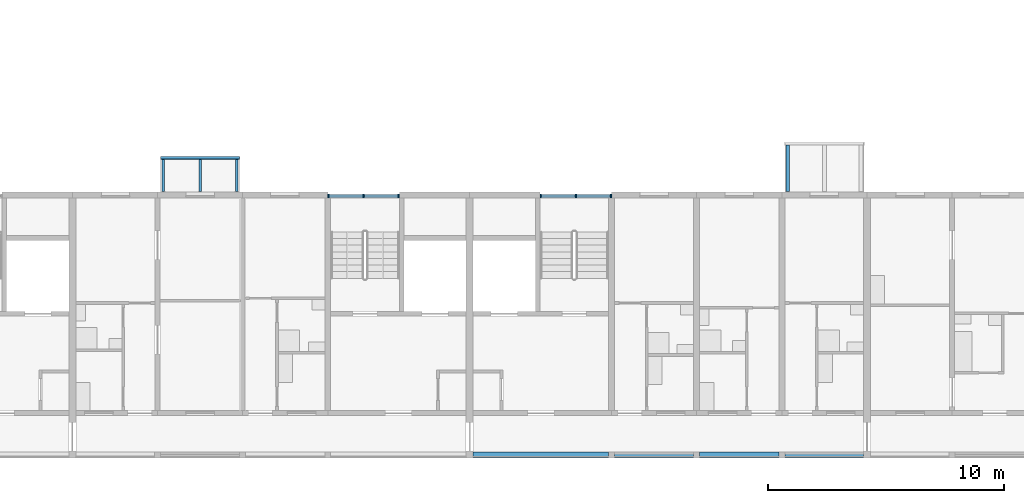
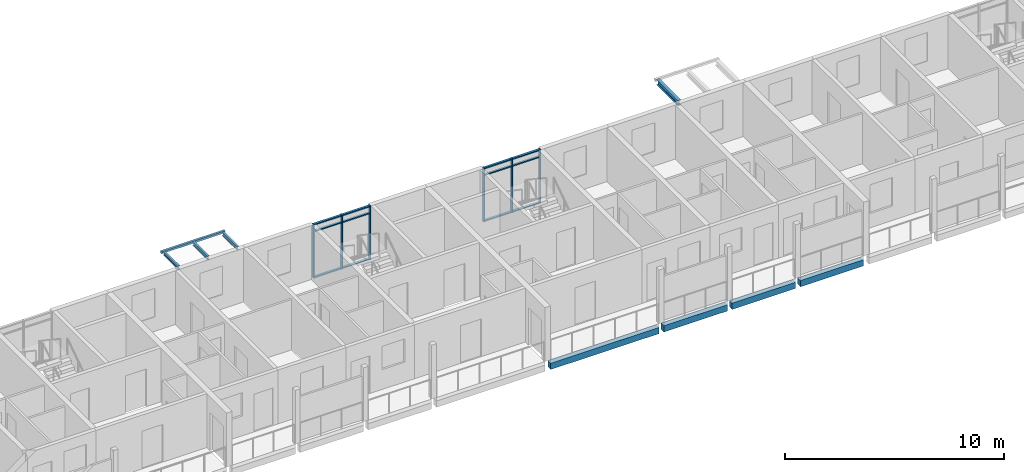
# One storey, part 6 of 98: 18 members, 9 beams, 2 elements without a shape of their own.
"""IFC4 building model written with IfcOpenShell, lengths in metres."""

from ifc_helpers import new_model, si_unit, direction, frame, origin, origin_2d, place, context, subcontext, project, spatial, rectangle, hollow_rectangle, i_section, extrude, material, material_profile, profile_set, type_object, element, aggregate, save


model = new_model("IFC4")

# Units and contexts
model_context = context("Model", 3, precision=1e-05, world=origin(), true_north=direction((0.0, 1.0)))
body_context = subcontext(model_context, "Body", "Model", "MODEL_VIEW")
ifc_project = project(units=[si_unit("LENGTHUNIT", "METRE"), si_unit("AREAUNIT", "SQUARE_METRE"), si_unit("VOLUMEUNIT", "CUBIC_METRE"), si_unit("PLANEANGLEUNIT", "RADIAN"), si_unit("MASSUNIT", "GRAM", prefix="KILO")], contexts=[model_context])

# Site, building, storey
site_placement = place(None, origin())
site = spatial("IfcSite", under=ifc_project, at=site_placement, CompositionType="ELEMENT")
building_placement = place(site_placement, origin())
building = spatial("IfcBuilding", under=site, at=building_placement, Name="Ridgestep Commons", CompositionType="ELEMENT")
storey_placement = place(building_placement, frame((0.0, 0.0, 12.0)))
storey = spatial("IfcBuildingStorey", under=building, at=storey_placement, Name="L04", CompositionType="ELEMENT", Elevation=12.0)

# Beams
ifc_material_1 = material(Name="Precast concrete C40/50", Category="concrete")
ifc_material_profile_1 = material_profile(ifc_material_1, rectangle(XDim=0.25, YDim=0.35009765625, at=origin_2d()), Name="PC 250x350")
ifc_profile_set_1 = profile_set([ifc_material_profile_1], Name="Precast concrete C40/50")
beam_type_1 = type_object("IfcBeamType", Name="Loggia edge beam 250 x 350", PredefinedType="SPANDREL", material=ifc_profile_set_1)
beam_1_placement = place(storey_placement, frame((45.75, 11.875, -0.375), z_axis=(1.0, 0.0, 0.0), x_axis=(0.0, 1.0, 0.0)))
element("IfcBeam", 1, at=beam_1_placement, inside=storey, type_object=beam_type_1, Name="Loggia edge beam A3C L04", PredefinedType="SPANDREL", context=body_context, shape_type="SweptSolid", body=[
    extrude(rectangle(XDim=0.25, YDim=0.35009765625, at=origin_2d()), origin(), (0.0, 0.0, 1.0), 5.72509765625),
])
beam_2_placement = place(storey_placement, frame((51.72509765625, 11.875, -0.375), z_axis=(1.0, 0.0, 0.0), x_axis=(0.0, 1.0, 0.0)))
element("IfcBeam", 2, at=beam_2_placement, inside=storey, type_object=beam_type_1, Name="Loggia edge beam A3T3 L04", PredefinedType="SPANDREL", context=body_context, shape_type="SweptSolid", body=[
    extrude(rectangle(XDim=0.25, YDim=0.35009765625, at=origin_2d()), origin(), (0.0, 0.0, 1.0), 3.349853515625),
])
beam_3_placement = place(storey_placement, frame((55.324951171875, 11.875, -0.375), z_axis=(1.0, 0.0, 0.0), x_axis=(0.0, 1.0, 0.0)))
element("IfcBeam", 3, at=beam_3_placement, inside=storey, type_object=beam_type_1, Name="Loggia edge beam A3T2 L04", PredefinedType="SPANDREL", context=body_context, shape_type="SweptSolid", body=[
    extrude(rectangle(XDim=0.25, YDim=0.35009765625, at=origin_2d()), origin(), (0.0, 0.0, 1.0), 3.35009765625),
])
beam_4_placement = place(storey_placement, frame((58.925048828125, 11.875, -0.375), z_axis=(1.0, 0.0, 0.0), x_axis=(0.0, 1.0, 0.0)))
element("IfcBeam", 4, at=beam_4_placement, inside=storey, type_object=beam_type_1, Name="Loggia edge beam A3T1 L04", PredefinedType="SPANDREL", context=body_context, shape_type="SweptSolid", body=[
    extrude(rectangle(XDim=0.25, YDim=0.35009765625, at=origin_2d()), origin(), (0.0, 0.0, 1.0), 3.324951171875),
])

# Curtain wall, members
ifc_material_2 = material(Name="Aluminium 6063-T6 and glass", Category="aluminium")
curtain_wall_type = type_object("IfcCurtainWallType", Name="Curtain wall stair strip", PredefinedType="NOTDEFINED", material=ifc_material_2)
curtain_wall_1_placement = place(storey_placement, origin())
curtain_wall_1 = element("IfcCurtainWall", 5, at=curtain_wall_1_placement, inside=storey, type_object=curtain_wall_type, Name="Curtain wall A2C level 04", PredefinedType="NOTDEFINED")
ifc_material_3 = material(Name="Aluminium 6063-T6", Category="aluminium")
ifc_material_profile_2 = material_profile(ifc_material_3, rectangle(XDim=0.159912109375, YDim=0.06005859375, at=origin_2d()), Name="Mullion 60 x 160")
ifc_profile_set_2 = profile_set([ifc_material_profile_2], Name="Aluminium 6063-T6")
member_type_1 = type_object("IfcMemberType", Name="Mullion 60 x 160", PredefinedType="MULLION", material=ifc_profile_set_2)
member_1_placement = place(storey_placement, frame((39.6298828125, 22.830078125, 0.0), z_axis=(0.0, 0.0, 1.0), x_axis=(0.0, 1.0, 0.0)))
member_1 = element("IfcMember", 6, at=member_1_placement, type_object=member_type_1, Name="CW1 mullion 1", PredefinedType="MULLION", context=body_context, shape_type="SweptSolid", body=[
    extrude(rectangle(XDim=0.159912109375, YDim=0.06005859375, at=origin_2d()), origin(), (0.0, 0.0, 1.0), 3.0),
])
member_2_placement = place(storey_placement, frame((41.112548828125, 22.830078125, 0.0), z_axis=(0.0, 0.0, 1.0), x_axis=(0.0, 1.0, 0.0)))
member_2 = element("IfcMember", 7, at=member_2_placement, type_object=member_type_1, Name="CW1 mullion 2", PredefinedType="MULLION", context=body_context, shape_type="SweptSolid", body=[
    extrude(rectangle(XDim=0.159912109375, YDim=0.06005859375, at=origin_2d()), origin(), (0.0, 0.0, 1.0), 3.0),
])
member_3_placement = place(storey_placement, frame((42.594970703125, 22.830078125, 0.0), z_axis=(0.0, 0.0, 1.0), x_axis=(0.0, 1.0, 0.0)))
member_3 = element("IfcMember", 8, at=member_3_placement, type_object=member_type_1, Name="CW1 mullion 3", PredefinedType="MULLION", context=body_context, shape_type="SweptSolid", body=[
    extrude(rectangle(XDim=0.159912109375, YDim=0.06005859375, at=origin_2d()), origin(), (0.0, 0.0, 1.0), 3.0),
])

curtain_wall_2_placement = place(storey_placement, origin())
curtain_wall_2 = element("IfcCurtainWall", 9, at=curtain_wall_2_placement, inside=storey, type_object=curtain_wall_type, Name="Curtain wall A3C level 04", PredefinedType="NOTDEFINED")
member_4_placement = place(storey_placement, frame((48.60498046875, 22.830078125, 0.0), z_axis=(0.0, 0.0, 1.0), x_axis=(0.0, 1.0, 0.0)))
member_4 = element("IfcMember", 10, at=member_4_placement, type_object=member_type_1, Name="CW1 mullion 1", PredefinedType="MULLION", context=body_context, shape_type="SweptSolid", body=[
    extrude(rectangle(XDim=0.159912109375, YDim=0.06005859375, at=origin_2d()), origin(), (0.0, 0.0, 1.0), 3.0),
])
member_5_placement = place(storey_placement, frame((50.08740234375, 22.830078125, 0.0), z_axis=(0.0, 0.0, 1.0), x_axis=(0.0, 1.0, 0.0)))
member_5 = element("IfcMember", 11, at=member_5_placement, type_object=member_type_1, Name="CW1 mullion 2", PredefinedType="MULLION", context=body_context, shape_type="SweptSolid", body=[
    extrude(rectangle(XDim=0.159912109375, YDim=0.06005859375, at=origin_2d()), origin(), (0.0, 0.0, 1.0), 3.0),
])
member_6_placement = place(storey_placement, frame((51.570068359375, 22.830078125, 0.0), z_axis=(0.0, 0.0, 1.0), x_axis=(0.0, 1.0, 0.0)))
member_6 = element("IfcMember", 12, at=member_6_placement, type_object=member_type_1, Name="CW1 mullion 3", PredefinedType="MULLION", context=body_context, shape_type="SweptSolid", body=[
    extrude(rectangle(XDim=0.159912109375, YDim=0.06005859375, at=origin_2d()), origin(), (0.0, 0.0, 1.0), 3.0),
])

# Member
ifc_material_4 = material(Name="Aluminium 6063-T6", Category="aluminium")
ifc_material_profile_3 = material_profile(ifc_material_4, rectangle(XDim=0.1201171875, YDim=0.06005859375, at=origin_2d()), Name="Transom 60 x 120")
ifc_profile_set_3 = profile_set([ifc_material_profile_3], Name="Aluminium 6063-T6")
member_type_2 = type_object("IfcMemberType", Name="Transom 60 x 120", PredefinedType="USERDEFINED", material=ifc_profile_set_3)
member_7_placement = place(storey_placement, frame((39.659912109375, 22.830078125, 0.030029296875), z_axis=(1.0, 0.0, 0.0), x_axis=(0.0, 1.0, 0.0)))
member_7 = element("IfcMember", 13, at=member_7_placement, type_object=member_type_2, Name="CW1 transom 1.1", ObjectType="TRANSOM", PredefinedType="USERDEFINED", context=body_context, shape_type="SweptSolid", body=[
    extrude(rectangle(XDim=0.1201171875, YDim=0.06005859375, at=origin_2d()), origin(), (0.0, 0.0, 1.0), 1.422607421875),
])

member_8_placement = place(storey_placement, frame((39.659912109375, 22.830078125, 2.590087890625), z_axis=(1.0, 0.0, 0.0), x_axis=(0.0, 1.0, 0.0)))
member_8 = element("IfcMember", 14, at=member_8_placement, type_object=member_type_2, Name="CW1 transom 1.2", ObjectType="TRANSOM", PredefinedType="USERDEFINED", context=body_context, shape_type="SweptSolid", body=[
    extrude(rectangle(XDim=0.1201171875, YDim=0.06005859375, at=origin_2d()), origin(), (0.0, 0.0, 1.0), 1.422607421875),
])

member_9_placement = place(storey_placement, frame((39.659912109375, 22.830078125, 2.969970703125), z_axis=(1.0, 0.0, 0.0), x_axis=(0.0, 1.0, 0.0)))
member_9 = element("IfcMember", 15, at=member_9_placement, type_object=member_type_2, Name="CW1 transom 1.3", ObjectType="TRANSOM", PredefinedType="USERDEFINED", context=body_context, shape_type="SweptSolid", body=[
    extrude(rectangle(XDim=0.1201171875, YDim=0.06005859375, at=origin_2d()), origin(), (0.0, 0.0, 1.0), 1.422607421875),
])

member_10_placement = place(storey_placement, frame((41.142578125, 22.830078125, 0.030029296875), z_axis=(1.0, 0.0, 0.0), x_axis=(0.0, 1.0, 0.0)))
member_10 = element("IfcMember", 16, at=member_10_placement, type_object=member_type_2, Name="CW1 transom 2.1", ObjectType="TRANSOM", PredefinedType="USERDEFINED", context=body_context, shape_type="SweptSolid", body=[
    extrude(rectangle(XDim=0.1201171875, YDim=0.06005859375, at=origin_2d()), origin(), (0.0, 0.0, 1.0), 1.42236328125),
])

member_11_placement = place(storey_placement, frame((41.142578125, 22.830078125, 2.590087890625), z_axis=(1.0, 0.0, 0.0), x_axis=(0.0, 1.0, 0.0)))
member_11 = element("IfcMember", 17, at=member_11_placement, type_object=member_type_2, Name="CW1 transom 2.2", ObjectType="TRANSOM", PredefinedType="USERDEFINED", context=body_context, shape_type="SweptSolid", body=[
    extrude(rectangle(XDim=0.1201171875, YDim=0.06005859375, at=origin_2d()), origin(), (0.0, 0.0, 1.0), 1.42236328125),
])

member_12_placement = place(storey_placement, frame((41.142578125, 22.830078125, 2.969970703125), z_axis=(1.0, 0.0, 0.0), x_axis=(0.0, 1.0, 0.0)))
member_12 = element("IfcMember", 18, at=member_12_placement, type_object=member_type_2, Name="CW1 transom 2.3", ObjectType="TRANSOM", PredefinedType="USERDEFINED", context=body_context, shape_type="SweptSolid", body=[
    extrude(rectangle(XDim=0.1201171875, YDim=0.06005859375, at=origin_2d()), origin(), (0.0, 0.0, 1.0), 1.42236328125),
])

aggregate(curtain_wall_1, [member_1, member_2, member_3, member_7, member_8, member_9, member_10, member_11, member_12])

member_13_placement = place(storey_placement, frame((48.635009765625, 22.830078125, 0.030029296875), z_axis=(1.0, 0.0, 0.0), x_axis=(0.0, 1.0, 0.0)))
member_13 = element("IfcMember", 19, at=member_13_placement, type_object=member_type_2, Name="CW1 transom 1.1", ObjectType="TRANSOM", PredefinedType="USERDEFINED", context=body_context, shape_type="SweptSolid", body=[
    extrude(rectangle(XDim=0.1201171875, YDim=0.06005859375, at=origin_2d()), origin(), (0.0, 0.0, 1.0), 1.422607421875),
])

member_14_placement = place(storey_placement, frame((48.635009765625, 22.830078125, 2.590087890625), z_axis=(1.0, 0.0, 0.0), x_axis=(0.0, 1.0, 0.0)))
member_14 = element("IfcMember", 20, at=member_14_placement, type_object=member_type_2, Name="CW1 transom 1.2", ObjectType="TRANSOM", PredefinedType="USERDEFINED", context=body_context, shape_type="SweptSolid", body=[
    extrude(rectangle(XDim=0.1201171875, YDim=0.06005859375, at=origin_2d()), origin(), (0.0, 0.0, 1.0), 1.422607421875),
])

member_15_placement = place(storey_placement, frame((48.635009765625, 22.830078125, 2.969970703125), z_axis=(1.0, 0.0, 0.0), x_axis=(0.0, 1.0, 0.0)))
member_15 = element("IfcMember", 21, at=member_15_placement, type_object=member_type_2, Name="CW1 transom 1.3", ObjectType="TRANSOM", PredefinedType="USERDEFINED", context=body_context, shape_type="SweptSolid", body=[
    extrude(rectangle(XDim=0.1201171875, YDim=0.06005859375, at=origin_2d()), origin(), (0.0, 0.0, 1.0), 1.422607421875),
])

member_16_placement = place(storey_placement, frame((50.117431640625, 22.830078125, 0.030029296875), z_axis=(1.0, 0.0, 0.0), x_axis=(0.0, 1.0, 0.0)))
member_16 = element("IfcMember", 22, at=member_16_placement, type_object=member_type_2, Name="CW1 transom 2.1", ObjectType="TRANSOM", PredefinedType="USERDEFINED", context=body_context, shape_type="SweptSolid", body=[
    extrude(rectangle(XDim=0.1201171875, YDim=0.06005859375, at=origin_2d()), origin(), (0.0, 0.0, 1.0), 1.422607421875),
])

member_17_placement = place(storey_placement, frame((50.117431640625, 22.830078125, 2.590087890625), z_axis=(1.0, 0.0, 0.0), x_axis=(0.0, 1.0, 0.0)))
member_17 = element("IfcMember", 23, at=member_17_placement, type_object=member_type_2, Name="CW1 transom 2.2", ObjectType="TRANSOM", PredefinedType="USERDEFINED", context=body_context, shape_type="SweptSolid", body=[
    extrude(rectangle(XDim=0.1201171875, YDim=0.06005859375, at=origin_2d()), origin(), (0.0, 0.0, 1.0), 1.422607421875),
])

member_18_placement = place(storey_placement, frame((50.117431640625, 22.830078125, 2.969970703125), z_axis=(1.0, 0.0, 0.0), x_axis=(0.0, 1.0, 0.0)))
member_18 = element("IfcMember", 24, at=member_18_placement, type_object=member_type_2, Name="CW1 transom 2.3", ObjectType="TRANSOM", PredefinedType="USERDEFINED", context=body_context, shape_type="SweptSolid", body=[
    extrude(rectangle(XDim=0.1201171875, YDim=0.06005859375, at=origin_2d()), origin(), (0.0, 0.0, 1.0), 1.422607421875),
])

aggregate(curtain_wall_2, [member_4, member_5, member_6, member_13, member_14, member_15, member_16, member_17, member_18])

# Beams
ifc_material_5 = material(Name="Weathering steel S355J2W", Category="steel")
ifc_material_profile_4 = material_profile(ifc_material_5, i_section(OverallWidth=0.101806640625, OverallDepth=0.203125, WebThickness=0.00537109375, FlangeThickness=0.00927734375, FilletRadius=0.007568359375, at=origin_2d()), Name="UB 203x102x23")
ifc_profile_set_4 = profile_set([ifc_material_profile_4], Name="Weathering steel S355J2W")
beam_type_2 = type_object("IfcBeamType", Name="Tray arm UB 203x102x23", PredefinedType="BEAM", material=ifc_profile_set_4)
for number, where, z_axis, x_axis, name in (
    (25, (32.64990234375, 23.014892578125, 2.888427734375), (0.0, 1.0, 0.0), (-1.0, 0.0, 0.0), "Tray arm A2T2-05.1"),
    (26, (34.199951171875, 23.014892578125, 2.888427734375), (0.0, 1.0, 0.0), (-1.0, 0.0, 0.0), "Tray arm A2T2-05.2"),
    (27, (35.75, 23.014892578125, 2.888427734375), (0.0, 1.0, 0.0), (-1.0, 0.0, 0.0), "Tray arm A2T2-05.3"),
):
    element("IfcBeam", number, at=place(storey_placement, frame(where, z_axis=z_axis, x_axis=x_axis)), inside=storey, type_object=beam_type_2, Name=name, PredefinedType="BEAM", context=body_context, shape_type="SweptSolid", body=[
        extrude(i_section(OverallWidth=0.101806640625, OverallDepth=0.203125, WebThickness=0.00537109375, FlangeThickness=0.00927734375, FilletRadius=0.007568359375, at=origin_2d()), origin(), (0.0, 0.0, 1.0), 1.364990234375),
    ])
ifc_material_6 = material(Name="Weathering steel S355J2W", Category="steel")
ifc_material_profile_5 = material_profile(ifc_material_6, i_section(OverallWidth=0.1650390625, OverallDepth=0.303466796875, WebThickness=0.006103515625, FlangeThickness=0.01025390625, FilletRadius=0.0087890625, at=origin_2d()), Name="UB 305x165x40")
ifc_profile_set_5 = profile_set([ifc_material_profile_5], Name="Weathering steel S355J2W")
beam_type_3 = type_object("IfcBeamType", Name="Tray arm UB 305x165x40", PredefinedType="BEAM", material=ifc_profile_set_5)
beam_5_placement = place(storey_placement, frame((59.050048828125, 23.014892578125, 2.83837890625), z_axis=(0.0, 1.0, 0.0), x_axis=(-1.0, 0.0, 0.0)))
element("IfcBeam", 28, at=beam_5_placement, inside=storey, type_object=beam_type_3, Name="Tray arm A3T1-05.1", PredefinedType="BEAM", context=body_context, shape_type="SweptSolid", body=[
    extrude(i_section(OverallWidth=0.1650390625, OverallDepth=0.303466796875, WebThickness=0.006103515625, FlangeThickness=0.01025390625, FilletRadius=0.0087890625, at=origin_2d()), origin(), (0.0, 0.0, 1.0), 1.965087890625),
])
ifc_material_7 = material(Name="Weathering steel S355J2W", Category="steel")
ifc_material_profile_6 = material_profile(ifc_material_7, hollow_rectangle(XDim=0.1201171875, YDim=0.1201171875, WallThickness=0.00634765625, InnerFilletRadius=0.00634765625, OuterFilletRadius=0.009521484375, at=origin_2d()), Name="SHS 120x120x6.3")
ifc_profile_set_6 = profile_set([ifc_material_profile_6], Name="Weathering steel S355J2W")
beam_type_4 = type_object("IfcBeamType", Name="Tray edge member SHS 120x120x6.3", PredefinedType="BEAM", material=ifc_profile_set_6)
beam_6_placement = place(storey_placement, frame((32.530029296875, 24.43994140625, 2.929931640625), z_axis=(1.0, 0.0, 0.0), x_axis=(0.0, 0.0, 1.0)))
element("IfcBeam", 29, at=beam_6_placement, inside=storey, type_object=beam_type_4, Name="Tray edge member A2T2-05", PredefinedType="BEAM", context=body_context, shape_type="SweptSolid", body=[
    extrude(hollow_rectangle(XDim=0.1201171875, YDim=0.1201171875, WallThickness=0.00634765625, InnerFilletRadius=0.00634765625, OuterFilletRadius=0.009521484375, at=origin_2d()), origin(), (0.0, 0.0, 1.0), 3.340087890625),
])

save(model, "model.ifc")
